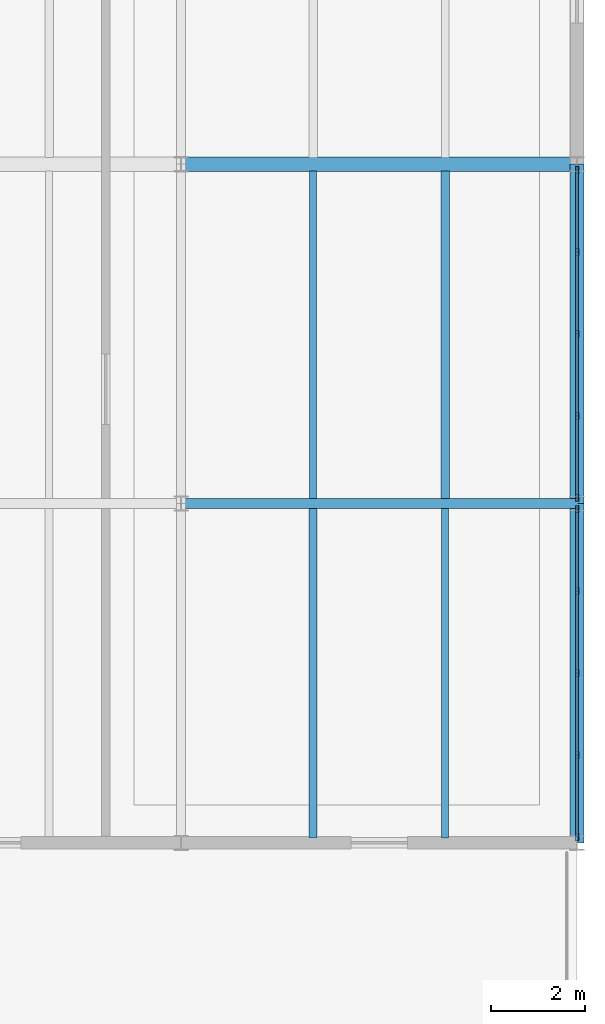
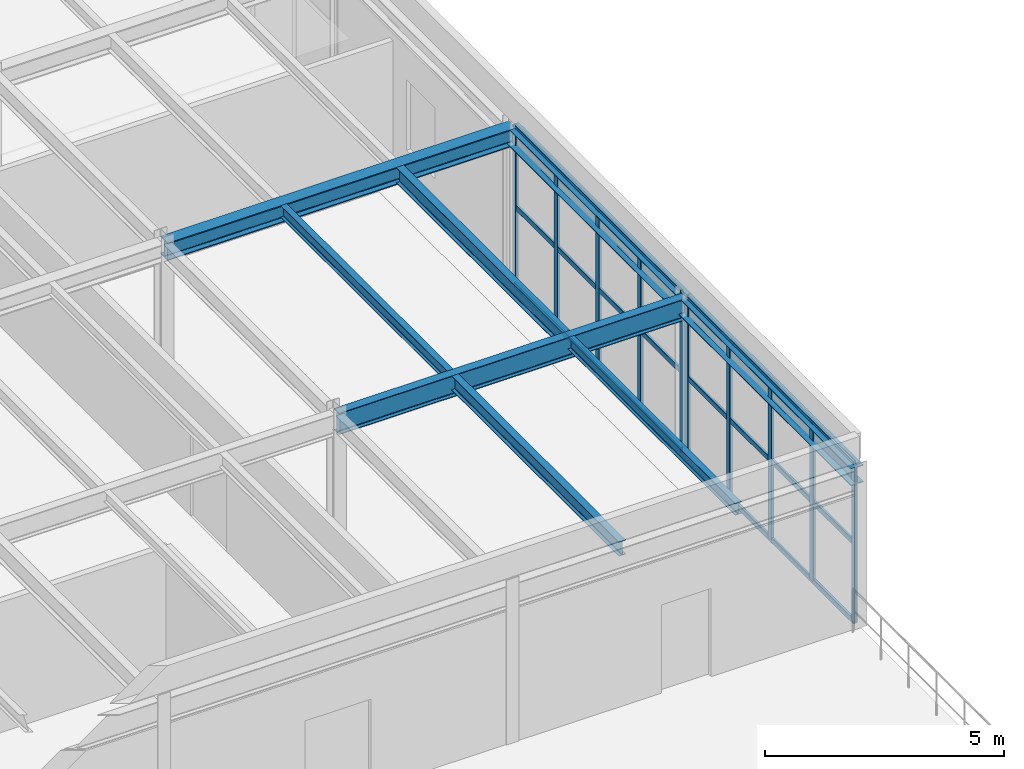
# One storey, part 57 of 77: 16 members, 8 beams, 2 elements without a shape of their own.
"""IFC4 building model written with IfcOpenShell, lengths in metres."""

from ifc_helpers import new_model, si_unit, derived_unit, direction, frame, origin, origin_2d, place, context, subcontext, project, spatial, hollow_rectangle, i_section, extrude, material, material_profile, profile_set, type_object, element, aggregate, save


model = new_model("IFC4")

# Units and contexts
model_context = context("Model", 3, precision=1e-05, world=origin(), true_north=direction((0.0, 1.0)))
body_context = subcontext(model_context, "Body", "Model", "MODEL_VIEW")
ifc_project = project(units=[si_unit("LENGTHUNIT", "METRE"), si_unit("AREAUNIT", "SQUARE_METRE"), si_unit("VOLUMEUNIT", "CUBIC_METRE"), si_unit("PLANEANGLEUNIT", "RADIAN"), si_unit("MASSUNIT", "GRAM", prefix="KILO"), derived_unit("THERMALTRANSMITTANCEUNIT", [(si_unit("MASSUNIT", "GRAM", prefix="KILO"), 1), (si_unit("TIMEUNIT", "SECOND"), -3), (si_unit("THERMODYNAMICTEMPERATUREUNIT", "KELVIN"), -1)])], contexts=[model_context])

# Site, building, storey
site_placement = place(None, origin())
site = spatial("IfcSite", under=ifc_project, at=site_placement, CompositionType="ELEMENT")
building_placement = place(site_placement, origin())
building = spatial("IfcBuilding", under=site, at=building_placement, Name="Kharveza Railside Sports Centre", CompositionType="ELEMENT")
storey_placement = place(building_placement, frame((0.0, 0.0, 17.10009765625)))
storey = spatial("IfcBuildingStorey", under=building, at=storey_placement, Name="L04", CompositionType="ELEMENT", Elevation=17.10009765625)

# Beams
ifc_material_1 = material(Name="Steel S355J2", Category="steel")
ifc_material_profile_1 = material_profile(ifc_material_1, i_section(OverallWidth=0.2099609375, OverallDepth=0.550048828125, WebThickness=0.010986328125, FlangeThickness=0.01708984375, FilletRadius=0.02392578125, at=origin_2d()), Name="IPE 550")
ifc_profile_set_1 = profile_set([ifc_material_profile_1], Name="Steel S355J2")
beam_type_1 = type_object("IfcBeamType", Name="BM-G02", PredefinedType="T_BEAM", material=ifc_profile_set_1)
beam_1_placement = place(storey_placement, frame((159.60009765625, 36.0, 3.73486328125), z_axis=(1.0, 0.0, 0.0), x_axis=(0.0, 1.0, 0.0)))
element("IfcBeam", 1, at=beam_1_placement, inside=storey, type_object=beam_type_1, Name="BM-EW-L04-B02-X1596-Y360", PredefinedType="T_BEAM", context=body_context, shape_type="SweptSolid", body=[
    extrude(i_section(OverallWidth=0.2099609375, OverallDepth=0.550048828125, WebThickness=0.010986328125, FlangeThickness=0.01708984375, FilletRadius=0.02392578125, at=origin_2d()), origin(), (0.0, 0.0, 1.0), 8.39990234375),
])
ifc_material_profile_2 = material_profile(ifc_material_1, i_section(OverallWidth=0.300048828125, OverallDepth=0.449951171875, WebThickness=0.013916015625, FlangeThickness=0.02587890625, FilletRadius=0.027099609375, at=origin_2d()), Name="HEB 450")
ifc_profile_set_2 = profile_set([ifc_material_profile_2], Name="Steel S355J2")
beam_type_2 = type_object("IfcBeamType", Name="BM-G06", PredefinedType="T_BEAM", material=ifc_profile_set_2)
beam_2_placement = place(storey_placement, frame((159.60009765625, 43.199951171875, 3.784912109375), z_axis=(1.0, 0.0, 0.0), x_axis=(0.0, 1.0, 0.0)))
element("IfcBeam", 2, at=beam_2_placement, inside=storey, type_object=beam_type_2, Name="BM-EW-L04-B06-X1596-Y432", PredefinedType="T_BEAM", context=body_context, shape_type="SweptSolid", body=[
    extrude(i_section(OverallWidth=0.300048828125, OverallDepth=0.449951171875, WebThickness=0.013916015625, FlangeThickness=0.02587890625, FilletRadius=0.027099609375, at=origin_2d()), origin(), (0.0, 0.0, 1.0), 8.39990234375),
])
ifc_material_profile_3 = material_profile(ifc_material_1, i_section(OverallWidth=0.179931640625, OverallDepth=0.39990234375, WebThickness=0.008544921875, FlangeThickness=0.013427734375, FilletRadius=0.02099609375, at=origin_2d()), Name="IPE 400")
ifc_profile_set_3 = profile_set([ifc_material_profile_3], Name="Steel S355J2")
beam_type_3 = type_object("IfcBeamType", Name="BM-S01", PredefinedType="BEAM", material=ifc_profile_set_3)
beam_3_placement = place(storey_placement, frame((165.199951171875, 36.10205078125, 3.809814453125), z_axis=(0.0, 1.0, 0.0), x_axis=(-1.0, 0.0, 0.0)))
element("IfcBeam", 3, at=beam_3_placement, inside=storey, type_object=beam_type_3, Name="BM-SEC-L04-B09-X1652-Y360", PredefinedType="BEAM", context=body_context, shape_type="SweptSolid", body=[
    extrude(i_section(OverallWidth=0.179931640625, OverallDepth=0.39990234375, WebThickness=0.008544921875, FlangeThickness=0.013427734375, FilletRadius=0.02099609375, at=origin_2d()), origin(), (0.0, 0.0, 1.0), 6.950927734375),
])
ifc_material_profile_4 = material_profile(ifc_material_1, i_section(OverallWidth=0.169921875, OverallDepth=0.360107421875, WebThickness=0.008056640625, FlangeThickness=0.0126953125, FilletRadius=0.01806640625, at=origin_2d()), Name="IPE 360")
ifc_profile_set_4 = profile_set([ifc_material_profile_4], Name="Steel S355J2")
beam_type_4 = type_object("IfcBeamType", Name="BM-S02", PredefinedType="BEAM", material=ifc_profile_set_4)
beam_4_placement = place(storey_placement, frame((162.39990234375, 28.906982421875, 3.829833984375), z_axis=(0.0, 1.0, 0.0), x_axis=(-1.0, 0.0, 0.0)))
element("IfcBeam", 4, at=beam_4_placement, inside=storey, type_object=beam_type_4, Name="BM-SEC-L04-B10-X1624-Y288", PredefinedType="BEAM", context=body_context, shape_type="SweptSolid", body=[
    extrude(i_section(OverallWidth=0.169921875, OverallDepth=0.360107421875, WebThickness=0.008056640625, FlangeThickness=0.0126953125, FilletRadius=0.01806640625, at=origin_2d()), origin(), (0.0, 0.0, 1.0), 6.990966796875),
])
ifc_material_profile_5 = material_profile(ifc_material_1, i_section(OverallWidth=0.14990234375, OverallDepth=0.300048828125, WebThickness=0.007080078125, FlangeThickness=0.0107421875, FilletRadius=0.014892578125, at=origin_2d()), Name="IPE 300")
ifc_profile_set_5 = profile_set([ifc_material_profile_5], Name="Steel S355J2")
beam_type_5 = type_object("IfcBeamType", Name="BM-S04", PredefinedType="BEAM", material=ifc_profile_set_5)
beam_5_placement = place(storey_placement, frame((165.199951171875, 28.906982421875, 3.85986328125), z_axis=(0.0, 1.0, 0.0), x_axis=(-1.0, 0.0, 0.0)))
element("IfcBeam", 5, at=beam_5_placement, inside=storey, type_object=beam_type_5, Name="BM-SEC-L04-B12-X1652-Y288", PredefinedType="BEAM", context=body_context, shape_type="SweptSolid", body=[
    extrude(i_section(OverallWidth=0.14990234375, OverallDepth=0.300048828125, WebThickness=0.007080078125, FlangeThickness=0.0107421875, FilletRadius=0.014892578125, at=origin_2d()), origin(), (0.0, 0.0, 1.0), 6.990966796875),
])
beam_6_placement = place(storey_placement, frame((162.39990234375, 36.10205078125, 3.85986328125), z_axis=(0.0, 1.0, 0.0), x_axis=(-1.0, 0.0, 0.0)))
element("IfcBeam", 6, at=beam_6_placement, inside=storey, type_object=beam_type_5, Name="BM-SEC-L04-B12-X1624-Y360", PredefinedType="BEAM", context=body_context, shape_type="SweptSolid", body=[
    extrude(i_section(OverallWidth=0.14990234375, OverallDepth=0.300048828125, WebThickness=0.007080078125, FlangeThickness=0.0107421875, FilletRadius=0.014892578125, at=origin_2d()), origin(), (0.0, 0.0, 1.0), 6.950927734375),
])
ifc_material_profile_6 = material_profile(ifc_material_1, i_section(OverallWidth=0.300048828125, OverallDepth=0.43994140625, WebThickness=0.011474609375, FlangeThickness=0.02099609375, FilletRadius=0.027099609375, at=origin_2d()), Name="HEA 450")
ifc_profile_set_6 = profile_set([ifc_material_profile_6], Name="Steel S355J2")
beam_type_6 = type_object("IfcBeamType", Name="BM-SP01", PredefinedType="SPANDREL", material=ifc_profile_set_6)
for number, where, z_axis, x_axis, name in (
    (7, (168.0, 28.800048828125, 3.789794921875), (0.0, 1.0, 0.0), (-1.0, 0.0, 0.0), "BM-NS-L04-B15-X1680-Y288"),
    (8, (168.0, 36.0, 3.789794921875), (0.0, 1.0, 0.0), (-1.0, 0.0, 0.0), "BM-NS-L04-B15-X1680-Y360"),
):
    element("IfcBeam", number, at=place(storey_placement, frame(where, z_axis=z_axis, x_axis=x_axis)), inside=storey, type_object=beam_type_6, Name=name, PredefinedType="SPANDREL", context=body_context, shape_type="SweptSolid", body=[
        extrude(i_section(OverallWidth=0.300048828125, OverallDepth=0.43994140625, WebThickness=0.011474609375, FlangeThickness=0.02099609375, FilletRadius=0.027099609375, at=origin_2d()), origin(), (0.0, 0.0, 1.0), 7.199951171875),
    ])

# Curtain wall, members
ifc_material_2 = material(Name="Low-E solar-control laminated glass", Category="glass")
curtain_wall_type = type_object("IfcCurtainWallType", Name="CW-WG04", PredefinedType="NOTDEFINED", material=ifc_material_2)
curtain_wall_1_placement = place(storey_placement, origin())
curtain_wall_1 = element("IfcCurtainWall", 9, at=curtain_wall_1_placement, inside=storey, type_object=curtain_wall_type, Name="CW-WG-L04-CW-WG04-X1680-Y324", PredefinedType="NOTDEFINED")
ifc_material_3 = material(Name="Anodised aluminium 6063-T6", Category="aluminium")
ifc_material_profile_7 = material_profile(ifc_material_3, hollow_rectangle(XDim=0.06494140625, YDim=0.14990234375, WallThickness=0.0048828125, InnerFilletRadius=0.0048828125, OuterFilletRadius=0.010009765625, at=origin_2d()), Name="RHS 65x150x5.0")
ifc_profile_set_7 = profile_set([ifc_material_profile_7], Name="Anodised aluminium 6063-T6")
member_type_1 = type_object("IfcMemberType", Name="CW-ML04", PredefinedType="MULLION", material=ifc_profile_set_7)
member_1_placement = place(storey_placement, frame((168.0, 28.919921875, 0.0), z_axis=(0.0, 0.0, 1.0), x_axis=(1.0, 0.0, 0.0)))
member_1 = element("IfcMember", 10, at=member_1_placement, type_object=member_type_1, Name="CW-WG-L04-CW-WG04-X1680-Y324-ML1", PredefinedType="MULLION", context=body_context, shape_type="SweptSolid", body=[
    extrude(hollow_rectangle(XDim=0.06494140625, YDim=0.14990234375, WallThickness=0.0048828125, InnerFilletRadius=0.0048828125, OuterFilletRadius=0.010009765625, at=origin_2d()), origin(), (0.0, 0.0, 1.0), 4.010009765625),
])
member_2_placement = place(storey_placement, frame((168.0, 30.659912109375, 0.0), z_axis=(0.0, 0.0, 1.0), x_axis=(1.0, 0.0, 0.0)))
member_2 = element("IfcMember", 11, at=member_2_placement, type_object=member_type_1, Name="CW-WG-L04-CW-WG04-X1680-Y324-ML2", PredefinedType="MULLION", context=body_context, shape_type="SweptSolid", body=[
    extrude(hollow_rectangle(XDim=0.06494140625, YDim=0.14990234375, WallThickness=0.0048828125, InnerFilletRadius=0.0048828125, OuterFilletRadius=0.010009765625, at=origin_2d()), origin(), (0.0, 0.0, 1.0), 4.010009765625),
])
member_3_placement = place(storey_placement, frame((168.0, 32.39990234375, 0.0), z_axis=(0.0, 0.0, 1.0), x_axis=(1.0, 0.0, 0.0)))
member_3 = element("IfcMember", 12, at=member_3_placement, type_object=member_type_1, Name="CW-WG-L04-CW-WG04-X1680-Y324-ML3", PredefinedType="MULLION", context=body_context, shape_type="SweptSolid", body=[
    extrude(hollow_rectangle(XDim=0.06494140625, YDim=0.14990234375, WallThickness=0.0048828125, InnerFilletRadius=0.0048828125, OuterFilletRadius=0.010009765625, at=origin_2d()), origin(), (0.0, 0.0, 1.0), 4.010009765625),
])
member_4_placement = place(storey_placement, frame((168.0, 34.139892578125, 0.0), z_axis=(0.0, 0.0, 1.0), x_axis=(1.0, 0.0, 0.0)))
member_4 = element("IfcMember", 13, at=member_4_placement, type_object=member_type_1, Name="CW-WG-L04-CW-WG04-X1680-Y324-ML4", PredefinedType="MULLION", context=body_context, shape_type="SweptSolid", body=[
    extrude(hollow_rectangle(XDim=0.06494140625, YDim=0.14990234375, WallThickness=0.0048828125, InnerFilletRadius=0.0048828125, OuterFilletRadius=0.010009765625, at=origin_2d()), origin(), (0.0, 0.0, 1.0), 4.010009765625),
])
member_5_placement = place(storey_placement, frame((168.0, 35.8798828125, 0.0), z_axis=(0.0, 0.0, 1.0), x_axis=(1.0, 0.0, 0.0)))
member_5 = element("IfcMember", 14, at=member_5_placement, type_object=member_type_1, Name="CW-WG-L04-CW-WG04-X1680-Y324-ML5", PredefinedType="MULLION", context=body_context, shape_type="SweptSolid", body=[
    extrude(hollow_rectangle(XDim=0.06494140625, YDim=0.14990234375, WallThickness=0.0048828125, InnerFilletRadius=0.0048828125, OuterFilletRadius=0.010009765625, at=origin_2d()), origin(), (0.0, 0.0, 1.0), 4.010009765625),
])

curtain_wall_2_placement = place(storey_placement, origin())
curtain_wall_2 = element("IfcCurtainWall", 15, at=curtain_wall_2_placement, inside=storey, type_object=curtain_wall_type, Name="CW-WG-L04-CW-WG04-X1680-Y396", PredefinedType="NOTDEFINED")
member_6_placement = place(storey_placement, frame((168.0, 36.1201171875, 0.0), z_axis=(0.0, 0.0, 1.0), x_axis=(1.0, 0.0, 0.0)))
member_6 = element("IfcMember", 16, at=member_6_placement, type_object=member_type_1, Name="CW-WG-L04-CW-WG04-X1680-Y396-ML1", PredefinedType="MULLION", context=body_context, shape_type="SweptSolid", body=[
    extrude(hollow_rectangle(XDim=0.06494140625, YDim=0.14990234375, WallThickness=0.0048828125, InnerFilletRadius=0.0048828125, OuterFilletRadius=0.010009765625, at=origin_2d()), origin(), (0.0, 0.0, 1.0), 4.010009765625),
])
member_7_placement = place(storey_placement, frame((168.0, 37.860107421875, 0.0), z_axis=(0.0, 0.0, 1.0), x_axis=(1.0, 0.0, 0.0)))
member_7 = element("IfcMember", 17, at=member_7_placement, type_object=member_type_1, Name="CW-WG-L04-CW-WG04-X1680-Y396-ML2", PredefinedType="MULLION", context=body_context, shape_type="SweptSolid", body=[
    extrude(hollow_rectangle(XDim=0.06494140625, YDim=0.14990234375, WallThickness=0.0048828125, InnerFilletRadius=0.0048828125, OuterFilletRadius=0.010009765625, at=origin_2d()), origin(), (0.0, 0.0, 1.0), 4.010009765625),
])
member_8_placement = place(storey_placement, frame((168.0, 39.60009765625, 0.0), z_axis=(0.0, 0.0, 1.0), x_axis=(1.0, 0.0, 0.0)))
member_8 = element("IfcMember", 18, at=member_8_placement, type_object=member_type_1, Name="CW-WG-L04-CW-WG04-X1680-Y396-ML3", PredefinedType="MULLION", context=body_context, shape_type="SweptSolid", body=[
    extrude(hollow_rectangle(XDim=0.06494140625, YDim=0.14990234375, WallThickness=0.0048828125, InnerFilletRadius=0.0048828125, OuterFilletRadius=0.010009765625, at=origin_2d()), origin(), (0.0, 0.0, 1.0), 4.010009765625),
])
member_9_placement = place(storey_placement, frame((168.0, 41.340087890625, 0.0), z_axis=(0.0, 0.0, 1.0), x_axis=(1.0, 0.0, 0.0)))
member_9 = element("IfcMember", 19, at=member_9_placement, type_object=member_type_1, Name="CW-WG-L04-CW-WG04-X1680-Y396-ML4", PredefinedType="MULLION", context=body_context, shape_type="SweptSolid", body=[
    extrude(hollow_rectangle(XDim=0.06494140625, YDim=0.14990234375, WallThickness=0.0048828125, InnerFilletRadius=0.0048828125, OuterFilletRadius=0.010009765625, at=origin_2d()), origin(), (0.0, 0.0, 1.0), 4.010009765625),
])
member_10_placement = place(storey_placement, frame((168.0, 43.080078125, 0.0), z_axis=(0.0, 0.0, 1.0), x_axis=(1.0, 0.0, 0.0)))
member_10 = element("IfcMember", 20, at=member_10_placement, type_object=member_type_1, Name="CW-WG-L04-CW-WG04-X1680-Y396-ML5", PredefinedType="MULLION", context=body_context, shape_type="SweptSolid", body=[
    extrude(hollow_rectangle(XDim=0.06494140625, YDim=0.14990234375, WallThickness=0.0048828125, InnerFilletRadius=0.0048828125, OuterFilletRadius=0.010009765625, at=origin_2d()), origin(), (0.0, 0.0, 1.0), 4.010009765625),
])

# Member
ifc_material_profile_8 = material_profile(ifc_material_3, hollow_rectangle(XDim=0.06005859375, YDim=0.139892578125, WallThickness=0.0048828125, InnerFilletRadius=0.0048828125, OuterFilletRadius=0.010009765625, at=origin_2d()), Name="RHS 60x140x5.0")
ifc_profile_set_8 = profile_set([ifc_material_profile_8], Name="Anodised aluminium 6063-T6")
member_type_2 = type_object("IfcMemberType", Name="CW-TR04", PredefinedType="USERDEFINED", material=ifc_profile_set_8)
member_11_placement = place(storey_placement, frame((168.0, 28.919921875, 0.0), z_axis=(0.0, 1.0, 0.0), x_axis=(-1.0, 0.0, 0.0)))
member_11 = element("IfcMember", 21, at=member_11_placement, type_object=member_type_2, Name="CW-WG-L04-CW-WG04-X1680-Y324-TR1", ObjectType="TRANSOM", PredefinedType="USERDEFINED", context=body_context, shape_type="SweptSolid", body=[
    extrude(hollow_rectangle(XDim=0.06005859375, YDim=0.139892578125, WallThickness=0.0048828125, InnerFilletRadius=0.0048828125, OuterFilletRadius=0.010009765625, at=origin_2d()), origin(), (0.0, 0.0, 1.0), 6.9599609375),
])

member_12_placement = place(storey_placement, frame((168.0, 28.919921875, 2.0048828125), z_axis=(0.0, 1.0, 0.0), x_axis=(-1.0, 0.0, 0.0)))
member_12 = element("IfcMember", 22, at=member_12_placement, type_object=member_type_2, Name="CW-WG-L04-CW-WG04-X1680-Y324-TR2", ObjectType="TRANSOM", PredefinedType="USERDEFINED", context=body_context, shape_type="SweptSolid", body=[
    extrude(hollow_rectangle(XDim=0.06005859375, YDim=0.139892578125, WallThickness=0.0048828125, InnerFilletRadius=0.0048828125, OuterFilletRadius=0.010009765625, at=origin_2d()), origin(), (0.0, 0.0, 1.0), 6.9599609375),
])

member_13_placement = place(storey_placement, frame((168.0, 28.919921875, 4.010009765625), z_axis=(0.0, 1.0, 0.0), x_axis=(-1.0, 0.0, 0.0)))
member_13 = element("IfcMember", 23, at=member_13_placement, type_object=member_type_2, Name="CW-WG-L04-CW-WG04-X1680-Y324-TR3", ObjectType="TRANSOM", PredefinedType="USERDEFINED", context=body_context, shape_type="SweptSolid", body=[
    extrude(hollow_rectangle(XDim=0.06005859375, YDim=0.139892578125, WallThickness=0.0048828125, InnerFilletRadius=0.0048828125, OuterFilletRadius=0.010009765625, at=origin_2d()), origin(), (0.0, 0.0, 1.0), 6.9599609375),
])

aggregate(curtain_wall_1, [member_1, member_2, member_3, member_4, member_5, member_11, member_12, member_13])

member_14_placement = place(storey_placement, frame((168.0, 36.1201171875, 0.0), z_axis=(0.0, 1.0, 0.0), x_axis=(-1.0, 0.0, 0.0)))
member_14 = element("IfcMember", 24, at=member_14_placement, type_object=member_type_2, Name="CW-WG-L04-CW-WG04-X1680-Y396-TR1", ObjectType="TRANSOM", PredefinedType="USERDEFINED", context=body_context, shape_type="SweptSolid", body=[
    extrude(hollow_rectangle(XDim=0.06005859375, YDim=0.139892578125, WallThickness=0.0048828125, InnerFilletRadius=0.0048828125, OuterFilletRadius=0.010009765625, at=origin_2d()), origin(), (0.0, 0.0, 1.0), 6.9599609375),
])

member_15_placement = place(storey_placement, frame((168.0, 36.1201171875, 2.0048828125), z_axis=(0.0, 1.0, 0.0), x_axis=(-1.0, 0.0, 0.0)))
member_15 = element("IfcMember", 25, at=member_15_placement, type_object=member_type_2, Name="CW-WG-L04-CW-WG04-X1680-Y396-TR2", ObjectType="TRANSOM", PredefinedType="USERDEFINED", context=body_context, shape_type="SweptSolid", body=[
    extrude(hollow_rectangle(XDim=0.06005859375, YDim=0.139892578125, WallThickness=0.0048828125, InnerFilletRadius=0.0048828125, OuterFilletRadius=0.010009765625, at=origin_2d()), origin(), (0.0, 0.0, 1.0), 6.9599609375),
])

member_16_placement = place(storey_placement, frame((168.0, 36.1201171875, 4.010009765625), z_axis=(0.0, 1.0, 0.0), x_axis=(-1.0, 0.0, 0.0)))
member_16 = element("IfcMember", 26, at=member_16_placement, type_object=member_type_2, Name="CW-WG-L04-CW-WG04-X1680-Y396-TR3", ObjectType="TRANSOM", PredefinedType="USERDEFINED", context=body_context, shape_type="SweptSolid", body=[
    extrude(hollow_rectangle(XDim=0.06005859375, YDim=0.139892578125, WallThickness=0.0048828125, InnerFilletRadius=0.0048828125, OuterFilletRadius=0.010009765625, at=origin_2d()), origin(), (0.0, 0.0, 1.0), 6.9599609375),
])

aggregate(curtain_wall_2, [member_6, member_7, member_8, member_9, member_10, member_14, member_15, member_16])

save(model, "model.ifc")
